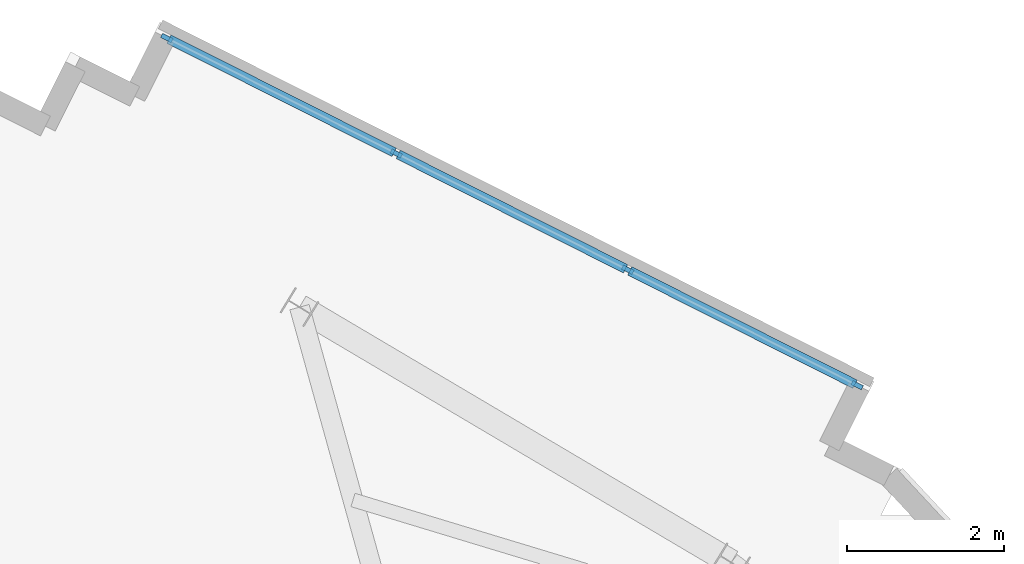
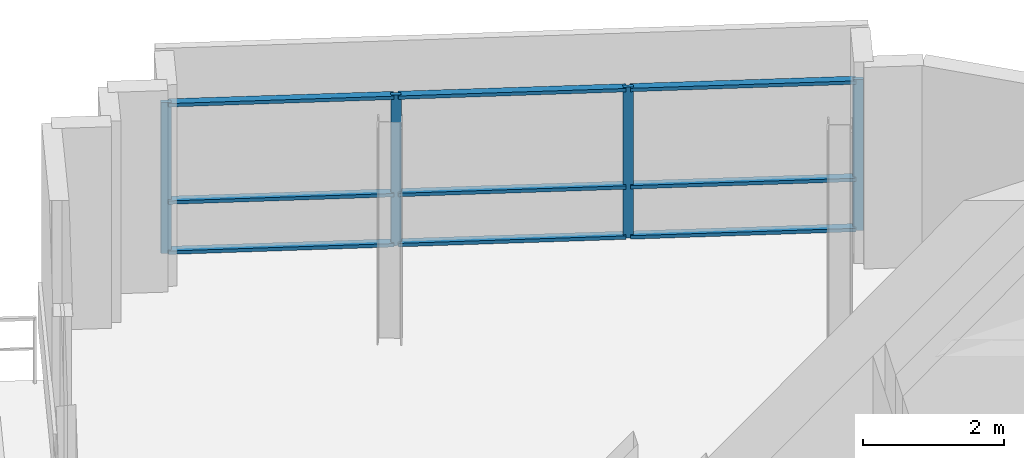
# One storey, part 4 of 11: 13 members, 1 element without a shape of its own.
"""IFC4 building model written with IfcOpenShell, lengths in metres."""

from ifc_helpers import new_model, si_unit, direction, frame, origin, origin_2d, place, context, subcontext, project, spatial, rectangle, extrude, source, transform, mapped, material, layer, layer_set, material_profile, profile_set, type_object, element, aggregate, save


model = new_model("IFC4")

# Units and contexts
model_context = context("Model", 3, precision=1e-05, world=origin(), true_north=direction((0.0, 1.0)))
body_context = subcontext(model_context, "Body", "Model", "MODEL_VIEW")
ifc_project = project(units=[si_unit("LENGTHUNIT", "METRE"), si_unit("AREAUNIT", "SQUARE_METRE"), si_unit("VOLUMEUNIT", "CUBIC_METRE"), si_unit("PLANEANGLEUNIT", "RADIAN"), si_unit("MASSUNIT", "GRAM", prefix="KILO")], contexts=[model_context])

# Site, building, storey
site_placement = place(None, origin())
site = spatial("IfcSite", under=ifc_project, at=site_placement, CompositionType="ELEMENT")
building_placement = place(site_placement, origin())
building = spatial("IfcBuilding", under=site, at=building_placement, Name="Zahravan Cultural Tower", CompositionType="ELEMENT")
storey_placement = place(building_placement, frame((0.0, 0.0, 353.550048828125)))
storey = spatial("IfcBuildingStorey", under=building, at=storey_placement, Name="L86", CompositionType="ELEMENT", Elevation=353.550048828125)

# Curtain wall, members
ifc_material = material(Name="Anodised bronze-aluminium mullion", Category="aluminium")
ifc_layer = layer(ifc_material, 0.14990234375)
ifc_layer_set = layer_set([ifc_layer], Name="Anodised bronze-aluminium mullion")
curtain_wall_type = type_object("IfcCurtainWallType", Name="CW-SYS-6", PredefinedType="USERDEFINED", material=ifc_layer_set)
curtain_wall_placement = place(storey_placement, origin())
curtain_wall = element("IfcCurtainWall", 1, at=curtain_wall_placement, inside=storey, type_object=curtain_wall_type, Name="L86 Recessed Curtain Wall CW-6.1", ObjectType="OBSERVATORY LANTERN", PredefinedType="USERDEFINED")
ifc_material_profile_1 = material_profile(ifc_material, rectangle(XDim=0.06005859375, YDim=0.14990234375, at=origin_2d()), Name="AL-M60X150")
ifc_profile_set_1 = profile_set([ifc_material_profile_1], Name="Anodised bronze-aluminium mullion")
member_type_1 = type_object("IfcMemberType", Name="CWM-CW-6", PredefinedType="MULLION", material=ifc_profile_set_1)
shared_shape_1 = source(origin(), body_context, "Body", "SweptSolid", [
    extrude(rectangle(XDim=0.06005859375, YDim=0.14990234375, at=origin_2d()), origin(), (0.0, 0.0, 1.0), 2.619873046875),
])
member_1_placement = place(storey_placement, frame((39.7822265625, 45.492431640625, 0.0), z_axis=(0.0, 0.0, 1.0), x_axis=(0.449317208482, 0.893372288669, 0.0)))
member_1 = element("IfcMember", 2, at=member_1_placement, type_object=member_type_1, Name="CW-6 mullion 1", PredefinedType="MULLION", context=body_context, shape_type="MappedRepresentation", body=[
    mapped(shared_shape_1, transform((0.0, 0.0, 0.0), x_axis=(1.0, 0.0, 0.0), y_axis=(0.0, 1.0, 0.0), z_axis=(0.0, 0.0, 1.0), scale=1.0)),
])
member_2_placement = place(storey_placement, frame((42.70947265625, 44.02001953125, 0.0), z_axis=(0.0, 0.0, 1.0), x_axis=(0.449317208482, 0.893372288669, 0.0)))
member_2 = element("IfcMember", 3, at=member_2_placement, type_object=member_type_1, Name="CW-6 mullion 2", PredefinedType="MULLION", context=body_context, shape_type="MappedRepresentation", body=[
    mapped(shared_shape_1, transform((0.0, 0.0, 0.0), x_axis=(1.0, 0.0, 0.0), y_axis=(0.0, 1.0, 0.0), z_axis=(0.0, 0.0, 1.0), scale=1.0)),
])
member_3_placement = place(storey_placement, frame((45.66357421875, 42.534423828125, 0.0), z_axis=(0.0, 0.0, 1.0), x_axis=(0.449317208482, 0.893372288669, 0.0)))
member_3 = element("IfcMember", 4, at=member_3_placement, type_object=member_type_1, Name="CW-6 mullion 3", PredefinedType="MULLION", context=body_context, shape_type="MappedRepresentation", body=[
    mapped(shared_shape_1, transform((0.0, 0.0, 0.0), x_axis=(1.0, 0.0, 0.0), y_axis=(0.0, 1.0, 0.0), z_axis=(0.0, 0.0, 1.0), scale=1.0)),
])
member_4_placement = place(storey_placement, frame((48.5908203125, 41.06201171875, 0.0), z_axis=(0.0, 0.0, 1.0), x_axis=(0.449317208482, 0.893372288669, 0.0)))
member_4 = element("IfcMember", 5, at=member_4_placement, type_object=member_type_1, Name="CW-6 mullion 4", PredefinedType="MULLION", context=body_context, shape_type="MappedRepresentation", body=[
    mapped(shared_shape_1, transform((0.0, 0.0, 0.0), x_axis=(1.0, 0.0, 0.0), y_axis=(0.0, 1.0, 0.0), z_axis=(0.0, 0.0, 1.0), scale=1.0)),
])
ifc_material_profile_2 = material_profile(ifc_material, rectangle(XDim=0.1201171875, YDim=0.06005859375, at=origin_2d()), Name="AL-T60X120")
ifc_profile_set_2 = profile_set([ifc_material_profile_2], Name="Anodised bronze-aluminium mullion")
member_type_2 = type_object("IfcMemberType", Name="CWT-CW-6", PredefinedType="USERDEFINED", material=ifc_profile_set_2)
shared_shape_2 = source(origin(), body_context, "Body", "SweptSolid", [
    extrude(rectangle(XDim=0.1201171875, YDim=0.06005859375, at=origin_2d()), origin(), (0.0, 0.0, 1.0), 3.216796875),
])
member_5_placement = place(storey_placement, frame((39.80908203125, 45.478759765625, 0.030029296875), z_axis=(0.893377366752, -0.449307111645, 0.0), x_axis=(0.449307111645, 0.893377366752, 0.0)))
member_5 = element("IfcMember", 6, at=member_5_placement, type_object=member_type_2, Name="CW-6 transom 1.1", ObjectType="TRANSOM", PredefinedType="USERDEFINED", context=body_context, shape_type="MappedRepresentation", body=[
    mapped(shared_shape_2, transform((0.0, 0.0, 0.0), x_axis=(1.0, 0.0, 0.0), y_axis=(0.0, 1.0, 0.0), z_axis=(0.0, 0.0, 1.0), scale=1.0)),
])
member_6_placement = place(storey_placement, frame((39.80908203125, 45.478759765625, 0.89990234375), z_axis=(0.893377366752, -0.449307111645, 0.0), x_axis=(0.449307111645, 0.893377366752, 0.0)))
member_6 = element("IfcMember", 7, at=member_6_placement, type_object=member_type_2, Name="CW-6 transom 1.2", ObjectType="TRANSOM", PredefinedType="USERDEFINED", context=body_context, shape_type="MappedRepresentation", body=[
    mapped(shared_shape_2, transform((0.0, 0.0, 0.0), x_axis=(1.0, 0.0, 0.0), y_axis=(0.0, 1.0, 0.0), z_axis=(0.0, 0.0, 1.0), scale=1.0)),
])
member_7_placement = place(storey_placement, frame((39.80908203125, 45.478759765625, 2.58984375), z_axis=(0.893377366752, -0.449307111645, 0.0), x_axis=(0.449307111645, 0.893377366752, 0.0)))
member_7 = element("IfcMember", 8, at=member_7_placement, type_object=member_type_2, Name="CW-6 transom 1.3", ObjectType="TRANSOM", PredefinedType="USERDEFINED", context=body_context, shape_type="MappedRepresentation", body=[
    mapped(shared_shape_2, transform((0.0, 0.0, 0.0), x_axis=(1.0, 0.0, 0.0), y_axis=(0.0, 1.0, 0.0), z_axis=(0.0, 0.0, 1.0), scale=1.0)),
])
member_8_placement = place(storey_placement, frame((45.6904296875, 42.520751953125, 0.030029296875), z_axis=(0.893377366752, -0.449307111645, 0.0), x_axis=(0.449307111645, 0.893377366752, 0.0)))
member_8 = element("IfcMember", 9, at=member_8_placement, type_object=member_type_2, Name="CW-6 transom 3.1", ObjectType="TRANSOM", PredefinedType="USERDEFINED", context=body_context, shape_type="MappedRepresentation", body=[
    mapped(shared_shape_2, transform((0.0, 0.0, 0.0), x_axis=(1.0, 0.0, 0.0), y_axis=(0.0, 1.0, 0.0), z_axis=(0.0, 0.0, 1.0), scale=1.0)),
])
member_9_placement = place(storey_placement, frame((45.6904296875, 42.520751953125, 0.89990234375), z_axis=(0.893377366752, -0.449307111645, 0.0), x_axis=(0.449307111645, 0.893377366752, 0.0)))
member_9 = element("IfcMember", 10, at=member_9_placement, type_object=member_type_2, Name="CW-6 transom 3.2", ObjectType="TRANSOM", PredefinedType="USERDEFINED", context=body_context, shape_type="MappedRepresentation", body=[
    mapped(shared_shape_2, transform((0.0, 0.0, 0.0), x_axis=(1.0, 0.0, 0.0), y_axis=(0.0, 1.0, 0.0), z_axis=(0.0, 0.0, 1.0), scale=1.0)),
])
member_10_placement = place(storey_placement, frame((45.6904296875, 42.520751953125, 2.58984375), z_axis=(0.893377366752, -0.449307111645, 0.0), x_axis=(0.449307111645, 0.893377366752, 0.0)))
member_10 = element("IfcMember", 11, at=member_10_placement, type_object=member_type_2, Name="CW-6 transom 3.3", ObjectType="TRANSOM", PredefinedType="USERDEFINED", context=body_context, shape_type="MappedRepresentation", body=[
    mapped(shared_shape_2, transform((0.0, 0.0, 0.0), x_axis=(1.0, 0.0, 0.0), y_axis=(0.0, 1.0, 0.0), z_axis=(0.0, 0.0, 1.0), scale=1.0)),
])
shared_shape_3 = source(origin(), body_context, "Body", "SweptSolid", [
    extrude(rectangle(XDim=0.1201171875, YDim=0.06005859375, at=origin_2d()), origin(), (0.0, 0.0, 1.0), 3.24658203125),
])
member_11_placement = place(storey_placement, frame((42.736328125, 44.006591796875, 0.030029296875), z_axis=(0.8933719174, -0.449317946672, 0.0), x_axis=(0.449317946672, 0.8933719174, 0.0)))
member_11 = element("IfcMember", 12, at=member_11_placement, type_object=member_type_2, Name="CW-6 transom 2.1", ObjectType="TRANSOM", PredefinedType="USERDEFINED", context=body_context, shape_type="MappedRepresentation", body=[
    mapped(shared_shape_3, transform((0.0, 0.0, 0.0), x_axis=(1.0, 0.0, 0.0), y_axis=(0.0, 1.0, 0.0), z_axis=(0.0, 0.0, 1.0), scale=1.0)),
])
member_12_placement = place(storey_placement, frame((42.736328125, 44.006591796875, 0.89990234375), z_axis=(0.8933719174, -0.449317946672, 0.0), x_axis=(0.449317946672, 0.8933719174, 0.0)))
member_12 = element("IfcMember", 13, at=member_12_placement, type_object=member_type_2, Name="CW-6 transom 2.2", ObjectType="TRANSOM", PredefinedType="USERDEFINED", context=body_context, shape_type="MappedRepresentation", body=[
    mapped(shared_shape_3, transform((0.0, 0.0, 0.0), x_axis=(1.0, 0.0, 0.0), y_axis=(0.0, 1.0, 0.0), z_axis=(0.0, 0.0, 1.0), scale=1.0)),
])
member_13_placement = place(storey_placement, frame((42.736328125, 44.006591796875, 2.58984375), z_axis=(0.8933719174, -0.449317946672, 0.0), x_axis=(0.449317946672, 0.8933719174, 0.0)))
member_13 = element("IfcMember", 14, at=member_13_placement, type_object=member_type_2, Name="CW-6 transom 2.3", ObjectType="TRANSOM", PredefinedType="USERDEFINED", context=body_context, shape_type="MappedRepresentation", body=[
    mapped(shared_shape_3, transform((0.0, 0.0, 0.0), x_axis=(1.0, 0.0, 0.0), y_axis=(0.0, 1.0, 0.0), z_axis=(0.0, 0.0, 1.0), scale=1.0)),
])
aggregate(curtain_wall, [member_1, member_2, member_3, member_4, member_5, member_6, member_7, member_11, member_12, member_13, member_8, member_9, member_10])

save(model, "model.ifc")
